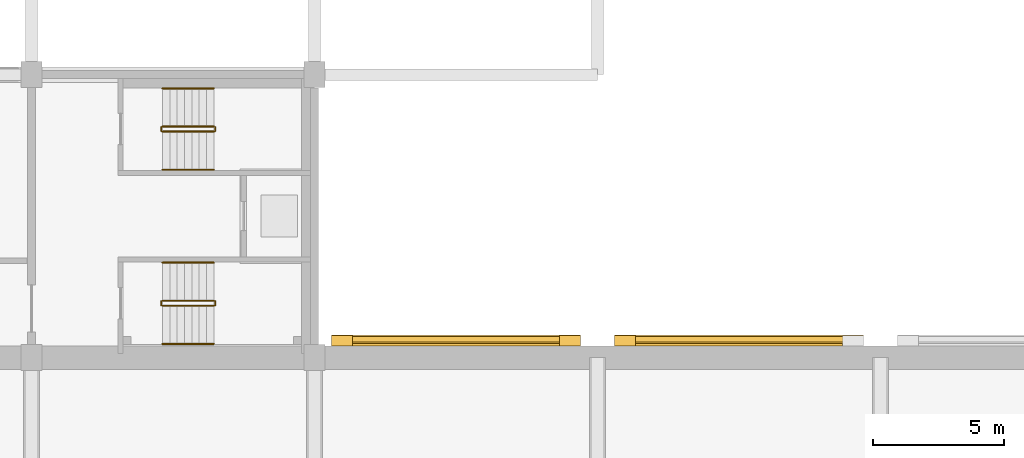
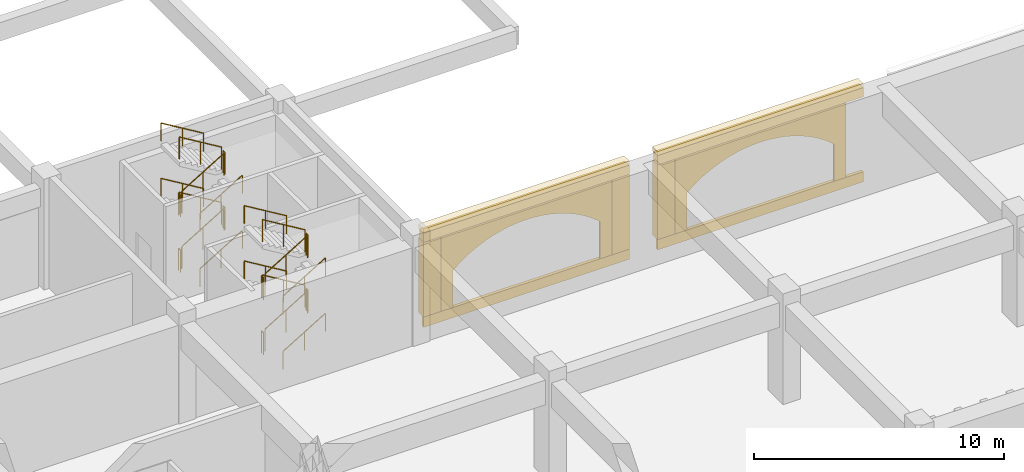
# One storey, part 90 of 101: 24 railings, 11 coverings.
"""IFC4 building model written with IfcOpenShell, lengths in metres."""

from ifc_helpers import new_model, si_unit, direction, frame, origin, origin_2d, place, context, subcontext, project, spatial, polyline, rectangle, circle, outline, extrude, material, layer, layer_set, type_object, element, save


model = new_model("IFC4")

# Units and contexts
model_context = context("Model", 3, precision=1e-05, world=origin(), true_north=direction((0.0, 1.0)))
body_context = subcontext(model_context, "Body", "Model", "MODEL_VIEW")
ifc_project = project(units=[si_unit("LENGTHUNIT", "METRE"), si_unit("AREAUNIT", "SQUARE_METRE"), si_unit("VOLUMEUNIT", "CUBIC_METRE"), si_unit("PLANEANGLEUNIT", "RADIAN"), si_unit("MASSUNIT", "GRAM", prefix="KILO")], contexts=[model_context])

# Site, building, storey
site_placement = place(None, origin())
site = spatial("IfcSite", under=ifc_project, at=site_placement, CompositionType="ELEMENT")
building_placement = place(site_placement, origin())
building = spatial("IfcBuilding", under=site, at=building_placement, Name="Magnolia Steps Interchange", CompositionType="ELEMENT")
storey_placement = place(building_placement, frame((0.0, 0.0, -5.39990234375)))
storey = spatial("IfcBuildingStorey", under=building, at=storey_placement, Name="B1", CompositionType="ELEMENT", Elevation=-5.39990234375)

# Coverings
ifc_material_1 = material(Name="Lime render")
ifc_layer_1 = layer(ifc_material_1, 0.080078125)
ifc_layer_set_1 = layer_set([ifc_layer_1], Name="Lime render arch infill")
covering_type_1 = type_object("IfcCoveringType", Name="Lime render arch infill", PredefinedType="CLADDING", material=ifc_layer_set_1)
covering_1_placement = place(storey_placement, frame((120.0, 75.25, 0.5), z_axis=(0.0, -1.0, 0.0), x_axis=(0.0, 0.0, 1.0)))
element("IfcCovering", 1, at=covering_1_placement, inside=storey, type_object=covering_type_1, Name="Blind arch base wall east 1.1", PredefinedType="CLADDING", context=body_context, shape_type="SweptSolid", body=[
    extrude(outline(polyline([(0.0, 0.0), (1.807861328, 0.0), (2.112792969, -0.377685547), (2.364013672, -0.755615234), (2.570800781, -1.133300781), (2.738769531, -1.510986328), (2.871826172, -1.888916016), (2.972900391, -2.266601562), (3.043701172, -2.644287109), (3.0859375, -3.022216797), (3.099853516, -3.399902344), (3.0859375, -3.777832031), (3.043701172, -4.155517578), (2.972900391, -4.533203125), (2.871826172, -4.911132812), (2.738769531, -5.288818359), (2.570800781, -5.666748047), (2.364013672, -6.044433594), (2.112792969, -6.422119141), (1.807861328, -6.800048828), (0.0, -6.800048828), (0.0, -7.350097656), (3.649902344, -7.350097656), (3.649902344, 0.550048828), (0.0, 0.550048828), (0.0, 0.0)])), origin(), (0.0, 0.0, -1.0), 0.080078125),
])
covering_2_placement = place(storey_placement, frame((130.800048828125, 75.25, 0.5), z_axis=(0.0, -1.0, 0.0), x_axis=(0.0, 0.0, 1.0)))
element("IfcCovering", 2, at=covering_2_placement, inside=storey, type_object=covering_type_1, Name="Blind arch base wall east 2.1", PredefinedType="CLADDING", context=body_context, shape_type="SweptSolid", body=[
    extrude(outline(polyline([(0.0, 0.0), (1.807861328, 0.0), (2.112792969, -0.377685547), (2.364013672, -0.755615234), (2.570800781, -1.133300781), (2.738769531, -1.510986328), (2.871826172, -1.888916016), (2.972900391, -2.266601562), (3.043701172, -2.644287109), (3.0859375, -3.022216797), (3.099853516, -3.399902344), (3.0859375, -3.777832031), (3.043701172, -4.155517578), (2.972900391, -4.533203125), (2.871826172, -4.911132812), (2.738769531, -5.288818359), (2.570800781, -5.666748047), (2.364013672, -6.044433594), (2.112792969, -6.422119141), (1.807861328, -6.800048828), (0.0, -6.800048828), (0.0, -7.349853516), (3.649902344, -7.349853516), (3.649902344, 0.550048828), (0.0, 0.550048828), (0.0, 0.0)])), origin(), (0.0, 0.0, -1.0), 0.080078125),
])
ifc_material_2 = material(Name="Lime render")
ifc_layer_2 = layer(ifc_material_2, 0.1201171875)
ifc_layer_set_2 = layer_set([ifc_layer_2], Name="Lime render band")
covering_type_2 = type_object("IfcCoveringType", Name="Lime render band", PredefinedType="CLADDING", material=ifc_layer_set_2)
covering_3_placement = place(storey_placement, frame((123.39990234375, 75.324951171875, 0.0), z_axis=(0.0, 0.0, 1.0), x_axis=(1.0, 0.0, 0.0)))
element("IfcCovering", 3, at=covering_3_placement, inside=storey, type_object=covering_type_2, Name="Plinth course base wall east 1", PredefinedType="CLADDING", context=body_context, shape_type="SweptSolid", body=[
    extrude(rectangle(XDim=9.5, YDim=0.14990234375, at=origin_2d()), origin(), (0.0, 0.0, 1.0), 0.5),
])
covering_4_placement = place(storey_placement, frame((123.39990234375, 75.425048828125, 4.14990234375), z_axis=(0.0, 0.0, 1.0), x_axis=(1.0, 0.0, 0.0)))
element("IfcCovering", 4, at=covering_4_placement, inside=storey, type_object=covering_type_2, Name="Cornice base wall east 1", PredefinedType="CLADDING", context=body_context, shape_type="SweptSolid", body=[
    extrude(rectangle(XDim=9.5, YDim=0.35009765625, at=origin_2d()), origin(), (0.0, 0.0, 1.0), 0.449951171875),
])
covering_5_placement = place(storey_placement, frame((123.39990234375, 75.4599609375, 4.60009765625), z_axis=(0.0, 0.0, 1.0), x_axis=(1.0, 0.0, 0.0)))
element("IfcCovering", 5, at=covering_5_placement, inside=storey, type_object=covering_type_2, Name="Coping base wall east 1", PredefinedType="CLADDING", context=body_context, shape_type="SweptSolid", body=[
    extrude(rectangle(XDim=9.5, YDim=0.419921875, at=origin_2d()), origin(), (0.0, 0.0, 1.0), 0.199951171875),
])
covering_6_placement = place(storey_placement, frame((134.199951171875, 75.324951171875, 0.0), z_axis=(0.0, 0.0, 1.0), x_axis=(1.0, 0.0, 0.0)))
element("IfcCovering", 6, at=covering_6_placement, inside=storey, type_object=covering_type_2, Name="Plinth course base wall east 2", PredefinedType="CLADDING", context=body_context, shape_type="SweptSolid", body=[
    extrude(rectangle(XDim=9.5, YDim=0.14990234375, at=origin_2d()), origin(), (0.0, 0.0, 1.0), 0.5),
])
covering_7_placement = place(storey_placement, frame((134.199951171875, 75.425048828125, 4.14990234375), z_axis=(0.0, 0.0, 1.0), x_axis=(1.0, 0.0, 0.0)))
element("IfcCovering", 7, at=covering_7_placement, inside=storey, type_object=covering_type_2, Name="Cornice base wall east 2", PredefinedType="CLADDING", context=body_context, shape_type="SweptSolid", body=[
    extrude(rectangle(XDim=9.5, YDim=0.35009765625, at=origin_2d()), origin(), (0.0, 0.0, 1.0), 0.449951171875),
])
covering_8_placement = place(storey_placement, frame((134.199951171875, 75.4599609375, 4.60009765625), z_axis=(0.0, 0.0, 1.0), x_axis=(1.0, 0.0, 0.0)))
element("IfcCovering", 8, at=covering_8_placement, inside=storey, type_object=covering_type_2, Name="Coping base wall east 2", PredefinedType="CLADDING", context=body_context, shape_type="SweptSolid", body=[
    extrude(rectangle(XDim=9.5, YDim=0.419921875, at=origin_2d()), origin(), (0.0, 0.0, 1.0), 0.199951171875),
])
ifc_material_3 = material(Name="Lime render")
ifc_layer_3 = layer(ifc_material_3, 0.39990234375)
ifc_layer_set_3 = layer_set([ifc_layer_3], Name="Lime render pilaster")
covering_type_3 = type_object("IfcCoveringType", Name="Lime render pilaster", PredefinedType="CLADDING", material=ifc_layer_set_3)
for number, where, z_axis, x_axis, name in (
    (9, (119.050048828125, 75.449951171875, 0.5), (0.0, 0.0, 1.0), (1.0, 0.0, 0.0), "Pilaster base wall east 1.1"),
    (10, (127.75, 75.449951171875, 0.5), (0.0, 0.0, 1.0), (1.0, 0.0, 0.0), "Pilaster base wall east 1.2"),
    (11, (129.85009765625, 75.449951171875, 0.5), (0.0, 0.0, 1.0), (1.0, 0.0, 0.0), "Pilaster base wall east 2.1"),
):
    element("IfcCovering", number, at=place(storey_placement, frame(where, z_axis=z_axis, x_axis=x_axis)), inside=storey, type_object=covering_type_3, Name=name, PredefinedType="CLADDING", context=body_context, shape_type="SweptSolid", body=[
        extrude(rectangle(XDim=0.800048828125, YDim=0.39990234375, at=origin_2d()), origin(), (0.0, 0.0, 1.0), 3.64990234375),
    ])

# Railings
ifc_material_4 = material(Name="Stainless steel grade 304", Category="steel")
railing_type_1 = type_object("IfcRailingType", Name="Stair guard 1100", PredefinedType="GUARDRAIL", material=ifc_material_4)
railing_1_placement = place(storey_placement, frame((112.199951171875, 83.426025390625, 0.168701171875)))
element("IfcRailing", 12, at=railing_1_placement, inside=storey, type_object=railing_type_1, Name="B1 ST3 stair guard 1", PredefinedType="GUARDRAIL", context=body_context, shape_type="SweptSolid", body=[
    extrude(circle(Radius=0.02392578125, at=origin_2d()), frame((0.0, 0.0, 1.076171875), z_axis=(0.856493463811, 0.0, 0.516157869696), x_axis=(0.0, 1.0, 0.0)), (0.0, 0.0, 1.0), 2.288330078125),
    extrude(circle(Radius=0.02099609375, at=origin_2d()), origin(), (0.0, 0.0, 1.0), 1.052001953125),
    extrude(circle(Radius=0.02099609375, at=origin_2d()), frame((0.97998046875, 0.0, 0.590576171875)), (0.0, 0.0, 1.0), 1.052001953125),
    extrude(circle(Radius=0.02099609375, at=origin_2d()), frame((1.9599609375, 0.0, 1.18115234375)), (0.0, 0.0, 1.0), 1.052001953125),
])
railing_2_placement = place(storey_placement, frame((114.2099609375, 83.449951171875, 1.349853515625)))
element("IfcRailing", 13, at=railing_2_placement, inside=storey, type_object=railing_type_1, Name="B1 ST3 stair guard 2", PredefinedType="GUARDRAIL", context=body_context, shape_type="SweptSolid", body=[
    extrude(circle(Radius=0.02392578125, at=origin_2d()), frame((0.0, 0.0, 1.076171875), z_axis=(0.0, 1.0, 0.0), x_axis=(-1.0, 0.0, 0.0)), (0.0, 0.0, 1.0), 0.150146484375),
    extrude(circle(Radius=0.02099609375, at=origin_2d()), origin(), (0.0, 0.0, 1.0), 1.052001953125),
    extrude(circle(Radius=0.02099609375, at=origin_2d()), frame((0.0, 0.150146484375, 0.0)), (0.0, 0.0, 1.0), 1.052001953125),
])
railing_3_placement = place(storey_placement, frame((114.159912109375, 83.6240234375, 1.5185546875)))
element("IfcRailing", 14, at=railing_3_placement, inside=storey, type_object=railing_type_1, Name="B1 ST3 stair guard 3", PredefinedType="GUARDRAIL", context=body_context, shape_type="SweptSolid", body=[
    extrude(circle(Radius=0.02392578125, at=origin_2d()), frame((0.0, 0.0, 1.076171875), z_axis=(-0.856446297458, 0.0, 0.516236127728), x_axis=(0.0, -1.0, 0.0)), (0.0, 0.0, 1.0), 2.28857421875),
    extrude(circle(Radius=0.02099609375, at=origin_2d()), origin(), (0.0, 0.0, 1.0), 1.052001953125),
    extrude(circle(Radius=0.02099609375, at=origin_2d()), frame((-0.97998046875, 0.0, 0.5908203125)), (0.0, 0.0, 1.0), 1.052001953125),
    extrude(circle(Radius=0.02099609375, at=origin_2d()), frame((-1.9599609375, 0.0, 1.181396484375)), (0.0, 0.0, 1.0), 1.052001953125),
])
railing_4_placement = place(storey_placement, frame((112.14990234375, 83.449951171875, 2.699951171875)))
element("IfcRailing", 15, at=railing_4_placement, inside=storey, type_object=railing_type_1, Name="B1 ST3 stair guard 4", PredefinedType="GUARDRAIL", context=body_context, shape_type="SweptSolid", body=[
    extrude(circle(Radius=0.02392578125, at=origin_2d()), frame((0.0, 0.0, 1.076171875), z_axis=(0.0, 1.0, 0.0), x_axis=(-1.0, 0.0, 0.0)), (0.0, 0.0, 1.0), 0.150146484375),
    extrude(circle(Radius=0.02099609375, at=origin_2d()), origin(), (0.0, 0.0, 1.0), 1.052001953125),
    extrude(circle(Radius=0.02099609375, at=origin_2d()), frame((0.0, 0.150146484375, 0.0)), (0.0, 0.0, 1.0), 1.052001953125),
])
railing_5_placement = place(storey_placement, frame((112.199951171875, 83.426025390625, 2.86865234375)))
element("IfcRailing", 16, at=railing_5_placement, inside=storey, type_object=railing_type_1, Name="B1 ST3 stair guard 5", PredefinedType="GUARDRAIL", context=body_context, shape_type="SweptSolid", body=[
    extrude(circle(Radius=0.02392578125, at=origin_2d()), frame((0.0, 0.0, 1.076171875), z_axis=(0.856493463811, 0.0, 0.516157869696), x_axis=(0.0, 1.0, 0.0)), (0.0, 0.0, 1.0), 2.288330078125),
    extrude(circle(Radius=0.02099609375, at=origin_2d()), origin(), (0.0, 0.0, 1.0), 1.052001953125),
    extrude(circle(Radius=0.02099609375, at=origin_2d()), frame((0.97998046875, 0.0, 0.590576171875)), (0.0, 0.0, 1.0), 1.052001953125),
    extrude(circle(Radius=0.02099609375, at=origin_2d()), frame((1.9599609375, 0.0, 1.18115234375)), (0.0, 0.0, 1.0), 1.052001953125),
])
railing_6_placement = place(storey_placement, frame((114.2099609375, 83.449951171875, 4.0498046875)))
element("IfcRailing", 17, at=railing_6_placement, inside=storey, type_object=railing_type_1, Name="B1 ST3 stair guard 6", PredefinedType="GUARDRAIL", context=body_context, shape_type="SweptSolid", body=[
    extrude(circle(Radius=0.02392578125, at=origin_2d()), frame((0.0, 0.0, 1.076171875), z_axis=(0.0, 1.0, 0.0), x_axis=(-1.0, 0.0, 0.0)), (0.0, 0.0, 1.0), 0.150146484375),
    extrude(circle(Radius=0.02099609375, at=origin_2d()), origin(), (0.0, 0.0, 1.0), 1.052001953125),
    extrude(circle(Radius=0.02099609375, at=origin_2d()), frame((0.0, 0.150146484375, 0.0)), (0.0, 0.0, 1.0), 1.052001953125),
])
railing_7_placement = place(storey_placement, frame((114.159912109375, 83.6240234375, 4.21875)))
element("IfcRailing", 18, at=railing_7_placement, inside=storey, type_object=railing_type_1, Name="B1 ST3 stair guard 7", PredefinedType="GUARDRAIL", context=body_context, shape_type="SweptSolid", body=[
    extrude(circle(Radius=0.02392578125, at=origin_2d()), frame((0.0, 0.0, 1.076171875), z_axis=(-0.856493463811, 0.0, 0.516157869696), x_axis=(0.0, -1.0, 0.0)), (0.0, 0.0, 1.0), 2.288330078125),
    extrude(circle(Radius=0.02099609375, at=origin_2d()), origin(), (0.0, 0.0, 1.0), 1.052001953125),
    extrude(circle(Radius=0.02099609375, at=origin_2d()), frame((-0.97998046875, 0.0, 0.590576171875)), (0.0, 0.0, 1.0), 1.052001953125),
    extrude(circle(Radius=0.02099609375, at=origin_2d()), frame((-1.9599609375, 0.0, 1.18115234375)), (0.0, 0.0, 1.0), 1.052001953125),
])
railing_8_placement = place(storey_placement, frame((112.14990234375, 83.449951171875, 0.0)))
element("IfcRailing", 19, at=railing_8_placement, inside=storey, type_object=railing_type_1, Name="B1 ST3 stair guard 8", PredefinedType="GUARDRAIL", context=body_context, shape_type="SweptSolid", body=[
    extrude(circle(Radius=0.02392578125, at=origin_2d()), frame((0.0, 0.0, 1.076171875), z_axis=(0.0, 1.0, 0.0), x_axis=(-1.0, 0.0, 0.0)), (0.0, 0.0, 1.0), 0.150146484375),
    extrude(circle(Radius=0.02099609375, at=origin_2d()), origin(), (0.0, 0.0, 1.0), 1.052001953125),
    extrude(circle(Radius=0.02099609375, at=origin_2d()), frame((0.0, 0.150146484375, 0.0)), (0.0, 0.0, 1.0), 1.052001953125),
])
railing_9_placement = place(storey_placement, frame((112.199951171875, 76.77587890625, 0.168701171875)))
element("IfcRailing", 20, at=railing_9_placement, inside=storey, type_object=railing_type_1, Name="B1 ST4 stair guard 1", PredefinedType="GUARDRAIL", context=body_context, shape_type="SweptSolid", body=[
    extrude(circle(Radius=0.02392578125, at=origin_2d()), frame((0.0, 0.0, 1.076171875), z_axis=(0.856493463811, 0.0, 0.516157869696), x_axis=(0.0, 1.0, 0.0)), (0.0, 0.0, 1.0), 2.288330078125),
    extrude(circle(Radius=0.02099609375, at=origin_2d()), origin(), (0.0, 0.0, 1.0), 1.052001953125),
    extrude(circle(Radius=0.02099609375, at=origin_2d()), frame((0.97998046875, 0.0, 0.590576171875)), (0.0, 0.0, 1.0), 1.052001953125),
    extrude(circle(Radius=0.02099609375, at=origin_2d()), frame((1.9599609375, 0.0, 1.18115234375)), (0.0, 0.0, 1.0), 1.052001953125),
])
railing_10_placement = place(storey_placement, frame((114.2099609375, 76.800048828125, 1.349853515625)))
element("IfcRailing", 21, at=railing_10_placement, inside=storey, type_object=railing_type_1, Name="B1 ST4 stair guard 2", PredefinedType="GUARDRAIL", context=body_context, shape_type="SweptSolid", body=[
    extrude(circle(Radius=0.02392578125, at=origin_2d()), frame((0.0, 0.0, 1.076171875), z_axis=(0.0, 1.0, 0.0), x_axis=(-1.0, 0.0, 0.0)), (0.0, 0.0, 1.0), 0.14990234375),
    extrude(circle(Radius=0.02099609375, at=origin_2d()), origin(), (0.0, 0.0, 1.0), 1.052001953125),
    extrude(circle(Radius=0.02099609375, at=origin_2d()), frame((0.0, 0.14990234375, 0.0)), (0.0, 0.0, 1.0), 1.052001953125),
])
railing_11_placement = place(storey_placement, frame((114.159912109375, 76.97412109375, 1.5185546875)))
element("IfcRailing", 22, at=railing_11_placement, inside=storey, type_object=railing_type_1, Name="B1 ST4 stair guard 3", PredefinedType="GUARDRAIL", context=body_context, shape_type="SweptSolid", body=[
    extrude(circle(Radius=0.02392578125, at=origin_2d()), frame((0.0, 0.0, 1.076171875), z_axis=(-0.856446297458, 0.0, 0.516236127728), x_axis=(0.0, -1.0, 0.0)), (0.0, 0.0, 1.0), 2.28857421875),
    extrude(circle(Radius=0.02099609375, at=origin_2d()), origin(), (0.0, 0.0, 1.0), 1.052001953125),
    extrude(circle(Radius=0.02099609375, at=origin_2d()), frame((-0.97998046875, 0.0, 0.5908203125)), (0.0, 0.0, 1.0), 1.052001953125),
    extrude(circle(Radius=0.02099609375, at=origin_2d()), frame((-1.9599609375, 0.0, 1.181396484375)), (0.0, 0.0, 1.0), 1.052001953125),
])
railing_12_placement = place(storey_placement, frame((112.14990234375, 76.800048828125, 2.699951171875)))
element("IfcRailing", 23, at=railing_12_placement, inside=storey, type_object=railing_type_1, Name="B1 ST4 stair guard 4", PredefinedType="GUARDRAIL", context=body_context, shape_type="SweptSolid", body=[
    extrude(circle(Radius=0.02392578125, at=origin_2d()), frame((0.0, 0.0, 1.076171875), z_axis=(0.0, 1.0, 0.0), x_axis=(-1.0, 0.0, 0.0)), (0.0, 0.0, 1.0), 0.14990234375),
    extrude(circle(Radius=0.02099609375, at=origin_2d()), origin(), (0.0, 0.0, 1.0), 1.052001953125),
    extrude(circle(Radius=0.02099609375, at=origin_2d()), frame((0.0, 0.14990234375, 0.0)), (0.0, 0.0, 1.0), 1.052001953125),
])
railing_13_placement = place(storey_placement, frame((112.199951171875, 76.77587890625, 2.86865234375)))
element("IfcRailing", 24, at=railing_13_placement, inside=storey, type_object=railing_type_1, Name="B1 ST4 stair guard 5", PredefinedType="GUARDRAIL", context=body_context, shape_type="SweptSolid", body=[
    extrude(circle(Radius=0.02392578125, at=origin_2d()), frame((0.0, 0.0, 1.076171875), z_axis=(0.856493463811, 0.0, 0.516157869696), x_axis=(0.0, 1.0, 0.0)), (0.0, 0.0, 1.0), 2.288330078125),
    extrude(circle(Radius=0.02099609375, at=origin_2d()), origin(), (0.0, 0.0, 1.0), 1.052001953125),
    extrude(circle(Radius=0.02099609375, at=origin_2d()), frame((0.97998046875, 0.0, 0.590576171875)), (0.0, 0.0, 1.0), 1.052001953125),
    extrude(circle(Radius=0.02099609375, at=origin_2d()), frame((1.9599609375, 0.0, 1.18115234375)), (0.0, 0.0, 1.0), 1.052001953125),
])
railing_14_placement = place(storey_placement, frame((114.2099609375, 76.800048828125, 4.0498046875)))
element("IfcRailing", 25, at=railing_14_placement, inside=storey, type_object=railing_type_1, Name="B1 ST4 stair guard 6", PredefinedType="GUARDRAIL", context=body_context, shape_type="SweptSolid", body=[
    extrude(circle(Radius=0.02392578125, at=origin_2d()), frame((0.0, 0.0, 1.076171875), z_axis=(0.0, 1.0, 0.0), x_axis=(-1.0, 0.0, 0.0)), (0.0, 0.0, 1.0), 0.14990234375),
    extrude(circle(Radius=0.02099609375, at=origin_2d()), origin(), (0.0, 0.0, 1.0), 1.052001953125),
    extrude(circle(Radius=0.02099609375, at=origin_2d()), frame((0.0, 0.14990234375, 0.0)), (0.0, 0.0, 1.0), 1.052001953125),
])
railing_15_placement = place(storey_placement, frame((114.159912109375, 76.97412109375, 4.21875)))
element("IfcRailing", 26, at=railing_15_placement, inside=storey, type_object=railing_type_1, Name="B1 ST4 stair guard 7", PredefinedType="GUARDRAIL", context=body_context, shape_type="SweptSolid", body=[
    extrude(circle(Radius=0.02392578125, at=origin_2d()), frame((0.0, 0.0, 1.076171875), z_axis=(-0.856493463811, 0.0, 0.516157869696), x_axis=(0.0, -1.0, 0.0)), (0.0, 0.0, 1.0), 2.288330078125),
    extrude(circle(Radius=0.02099609375, at=origin_2d()), origin(), (0.0, 0.0, 1.0), 1.052001953125),
    extrude(circle(Radius=0.02099609375, at=origin_2d()), frame((-0.97998046875, 0.0, 0.590576171875)), (0.0, 0.0, 1.0), 1.052001953125),
    extrude(circle(Radius=0.02099609375, at=origin_2d()), frame((-1.9599609375, 0.0, 1.18115234375)), (0.0, 0.0, 1.0), 1.052001953125),
])
railing_16_placement = place(storey_placement, frame((112.14990234375, 76.800048828125, 0.0)))
element("IfcRailing", 27, at=railing_16_placement, inside=storey, type_object=railing_type_1, Name="B1 ST4 stair guard 8", PredefinedType="GUARDRAIL", context=body_context, shape_type="SweptSolid", body=[
    extrude(circle(Radius=0.02392578125, at=origin_2d()), frame((0.0, 0.0, 1.076171875), z_axis=(0.0, 1.0, 0.0), x_axis=(-1.0, 0.0, 0.0)), (0.0, 0.0, 1.0), 0.14990234375),
    extrude(circle(Radius=0.02099609375, at=origin_2d()), origin(), (0.0, 0.0, 1.0), 1.052001953125),
    extrude(circle(Radius=0.02099609375, at=origin_2d()), frame((0.0, 0.14990234375, 0.0)), (0.0, 0.0, 1.0), 1.052001953125),
])
ifc_material_5 = material(Name="Stainless steel grade 304", Category="steel")
railing_type_2 = type_object("IfcRailingType", Name="Stair handrail 900", PredefinedType="HANDRAIL", material=ifc_material_5)
railing_17_placement = place(storey_placement, frame((112.199951171875, 81.97412109375, 0.168701171875)))
element("IfcRailing", 28, at=railing_17_placement, inside=storey, type_object=railing_type_2, Name="B1 ST3 stair handrail 1", PredefinedType="HANDRAIL", context=body_context, shape_type="SweptSolid", body=[
    extrude(circle(Radius=0.02392578125, at=origin_2d()), frame((0.0, 0.0, 0.8759765625), z_axis=(0.856493463811, 0.0, 0.516157869696), x_axis=(0.0, 1.0, 0.0)), (0.0, 0.0, 1.0), 2.288330078125),
    extrude(circle(Radius=0.02099609375, at=origin_2d()), origin(), (0.0, 0.0, 1.0), 0.851806640625),
    extrude(circle(Radius=0.02099609375, at=origin_2d()), frame((0.97998046875, 0.0, 0.590576171875)), (0.0, 0.0, 1.0), 0.851806640625),
    extrude(circle(Radius=0.02099609375, at=origin_2d()), frame((1.9599609375, 0.0, 1.18115234375)), (0.0, 0.0, 1.0), 0.851806640625),
])
railing_18_placement = place(storey_placement, frame((114.159912109375, 85.075927734375, 1.5185546875)))
element("IfcRailing", 29, at=railing_18_placement, inside=storey, type_object=railing_type_2, Name="B1 ST3 stair handrail 2", PredefinedType="HANDRAIL", context=body_context, shape_type="SweptSolid", body=[
    extrude(circle(Radius=0.02392578125, at=origin_2d()), frame((0.0, 0.0, 0.8759765625), z_axis=(-0.856446297458, 0.0, 0.516236127728), x_axis=(0.0, -1.0, 0.0)), (0.0, 0.0, 1.0), 2.28857421875),
    extrude(circle(Radius=0.02099609375, at=origin_2d()), origin(), (0.0, 0.0, 1.0), 0.851806640625),
    extrude(circle(Radius=0.02099609375, at=origin_2d()), frame((-0.97998046875, 0.0, 0.5908203125)), (0.0, 0.0, 1.0), 0.851806640625),
    extrude(circle(Radius=0.02099609375, at=origin_2d()), frame((-1.9599609375, 0.0, 1.181396484375)), (0.0, 0.0, 1.0), 0.851806640625),
])
railing_19_placement = place(storey_placement, frame((112.199951171875, 81.97412109375, 2.86865234375)))
element("IfcRailing", 30, at=railing_19_placement, inside=storey, type_object=railing_type_2, Name="B1 ST3 stair handrail 3", PredefinedType="HANDRAIL", context=body_context, shape_type="SweptSolid", body=[
    extrude(circle(Radius=0.02392578125, at=origin_2d()), frame((0.0, 0.0, 0.8759765625), z_axis=(0.856493463811, 0.0, 0.516157869696), x_axis=(0.0, 1.0, 0.0)), (0.0, 0.0, 1.0), 2.288330078125),
    extrude(circle(Radius=0.02099609375, at=origin_2d()), origin(), (0.0, 0.0, 1.0), 0.851806640625),
    extrude(circle(Radius=0.02099609375, at=origin_2d()), frame((0.97998046875, 0.0, 0.590576171875)), (0.0, 0.0, 1.0), 0.851806640625),
    extrude(circle(Radius=0.02099609375, at=origin_2d()), frame((1.9599609375, 0.0, 1.18115234375)), (0.0, 0.0, 1.0), 0.851806640625),
])
railing_20_placement = place(storey_placement, frame((114.159912109375, 85.075927734375, 4.21875)))
element("IfcRailing", 31, at=railing_20_placement, inside=storey, type_object=railing_type_2, Name="B1 ST3 stair handrail 4", PredefinedType="HANDRAIL", context=body_context, shape_type="SweptSolid", body=[
    extrude(circle(Radius=0.02392578125, at=origin_2d()), frame((0.0, 0.0, 0.8759765625), z_axis=(-0.856493463811, 0.0, 0.516157869696), x_axis=(0.0, -1.0, 0.0)), (0.0, 0.0, 1.0), 2.288330078125),
    extrude(circle(Radius=0.02099609375, at=origin_2d()), origin(), (0.0, 0.0, 1.0), 0.851806640625),
    extrude(circle(Radius=0.02099609375, at=origin_2d()), frame((-0.97998046875, 0.0, 0.590576171875)), (0.0, 0.0, 1.0), 0.851806640625),
    extrude(circle(Radius=0.02099609375, at=origin_2d()), frame((-1.9599609375, 0.0, 1.18115234375)), (0.0, 0.0, 1.0), 0.851806640625),
])
railing_21_placement = place(storey_placement, frame((112.199951171875, 75.323974609375, 0.168701171875)))
element("IfcRailing", 32, at=railing_21_placement, inside=storey, type_object=railing_type_2, Name="B1 ST4 stair handrail 1", PredefinedType="HANDRAIL", context=body_context, shape_type="SweptSolid", body=[
    extrude(circle(Radius=0.02392578125, at=origin_2d()), frame((0.0, 0.0, 0.8759765625), z_axis=(0.856493463811, 0.0, 0.516157869696), x_axis=(0.0, 1.0, 0.0)), (0.0, 0.0, 1.0), 2.288330078125),
    extrude(circle(Radius=0.02099609375, at=origin_2d()), origin(), (0.0, 0.0, 1.0), 0.851806640625),
    extrude(circle(Radius=0.02099609375, at=origin_2d()), frame((0.97998046875, 0.0, 0.590576171875)), (0.0, 0.0, 1.0), 0.851806640625),
    extrude(circle(Radius=0.02099609375, at=origin_2d()), frame((1.9599609375, 0.0, 1.18115234375)), (0.0, 0.0, 1.0), 0.851806640625),
])
railing_22_placement = place(storey_placement, frame((114.159912109375, 78.426025390625, 1.5185546875)))
element("IfcRailing", 33, at=railing_22_placement, inside=storey, type_object=railing_type_2, Name="B1 ST4 stair handrail 2", PredefinedType="HANDRAIL", context=body_context, shape_type="SweptSolid", body=[
    extrude(circle(Radius=0.02392578125, at=origin_2d()), frame((0.0, 0.0, 0.8759765625), z_axis=(-0.856446297458, 0.0, 0.516236127728), x_axis=(0.0, -1.0, 0.0)), (0.0, 0.0, 1.0), 2.28857421875),
    extrude(circle(Radius=0.02099609375, at=origin_2d()), origin(), (0.0, 0.0, 1.0), 0.851806640625),
    extrude(circle(Radius=0.02099609375, at=origin_2d()), frame((-0.97998046875, 0.0, 0.5908203125)), (0.0, 0.0, 1.0), 0.851806640625),
    extrude(circle(Radius=0.02099609375, at=origin_2d()), frame((-1.9599609375, 0.0, 1.181396484375)), (0.0, 0.0, 1.0), 0.851806640625),
])
railing_23_placement = place(storey_placement, frame((112.199951171875, 75.323974609375, 2.86865234375)))
element("IfcRailing", 34, at=railing_23_placement, inside=storey, type_object=railing_type_2, Name="B1 ST4 stair handrail 3", PredefinedType="HANDRAIL", context=body_context, shape_type="SweptSolid", body=[
    extrude(circle(Radius=0.02392578125, at=origin_2d()), frame((0.0, 0.0, 0.8759765625), z_axis=(0.856493463811, 0.0, 0.516157869696), x_axis=(0.0, 1.0, 0.0)), (0.0, 0.0, 1.0), 2.288330078125),
    extrude(circle(Radius=0.02099609375, at=origin_2d()), origin(), (0.0, 0.0, 1.0), 0.851806640625),
    extrude(circle(Radius=0.02099609375, at=origin_2d()), frame((0.97998046875, 0.0, 0.590576171875)), (0.0, 0.0, 1.0), 0.851806640625),
    extrude(circle(Radius=0.02099609375, at=origin_2d()), frame((1.9599609375, 0.0, 1.18115234375)), (0.0, 0.0, 1.0), 0.851806640625),
])
railing_24_placement = place(storey_placement, frame((114.159912109375, 78.426025390625, 4.21875)))
element("IfcRailing", 35, at=railing_24_placement, inside=storey, type_object=railing_type_2, Name="B1 ST4 stair handrail 4", PredefinedType="HANDRAIL", context=body_context, shape_type="SweptSolid", body=[
    extrude(circle(Radius=0.02392578125, at=origin_2d()), frame((0.0, 0.0, 0.8759765625), z_axis=(-0.856493463811, 0.0, 0.516157869696), x_axis=(0.0, -1.0, 0.0)), (0.0, 0.0, 1.0), 2.288330078125),
    extrude(circle(Radius=0.02099609375, at=origin_2d()), origin(), (0.0, 0.0, 1.0), 0.851806640625),
    extrude(circle(Radius=0.02099609375, at=origin_2d()), frame((-0.97998046875, 0.0, 0.590576171875)), (0.0, 0.0, 1.0), 0.851806640625),
    extrude(circle(Radius=0.02099609375, at=origin_2d()), frame((-1.9599609375, 0.0, 1.18115234375)), (0.0, 0.0, 1.0), 0.851806640625),
])

save(model, "model.ifc")
